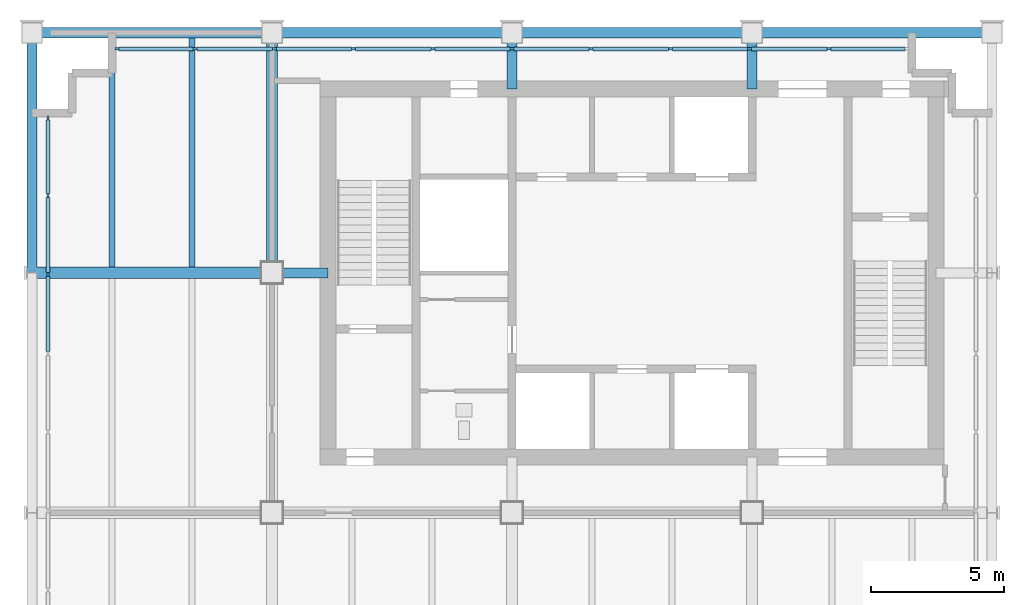
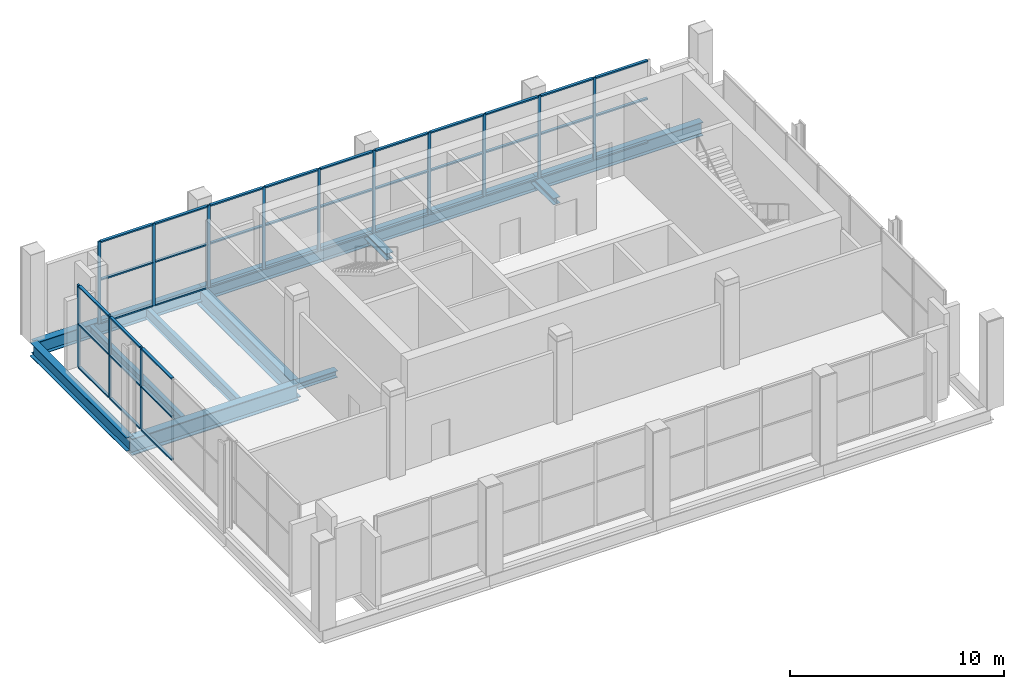
# One storey, part 4 of 10: 55 members, 9 beams, 2 elements without a shape of their own.
"""IFC4 building model written with IfcOpenShell, lengths in metres."""

from ifc_helpers import new_model, si_unit, direction, frame, origin, origin_2d, place, context, subcontext, project, spatial, rectangle, i_section, extrude, material, material_profile, profile_set, type_object, element, aggregate, save


model = new_model("IFC4")

# Units and contexts
model_context = context("Model", 3, precision=1e-05, world=origin(), true_north=direction((0.0, 1.0)))
body_context = subcontext(model_context, "Body", "Model", "MODEL_VIEW")
ifc_project = project(units=[si_unit("LENGTHUNIT", "METRE"), si_unit("AREAUNIT", "SQUARE_METRE"), si_unit("VOLUMEUNIT", "CUBIC_METRE"), si_unit("PLANEANGLEUNIT", "RADIAN"), si_unit("MASSUNIT", "GRAM", prefix="KILO")], contexts=[model_context])

# Site, building, storey
site_placement = place(None, origin())
site = spatial("IfcSite", under=ifc_project, at=site_placement, CompositionType="ELEMENT")
building_placement = place(site_placement, origin())
building = spatial("IfcBuilding", under=site, at=building_placement, Name="Loomwork Tower", CompositionType="ELEMENT")
storey_placement = place(building_placement, frame((0.0, 0.0, 274.800048828125)))
storey = spatial("IfcBuildingStorey", under=building, at=storey_placement, Name="L75", CompositionType="ELEMENT", Elevation=274.800048828125)

# Members
ifc_material_1 = material(Name="Steel ASTM A992", Category="steel")
ifc_material_profile_1 = material_profile(ifc_material_1, i_section(OverallWidth=0.373291015625, OverallDepth=0.373291015625, WebThickness=0.016357421875, FlangeThickness=0.026123046875, at=origin_2d()), Name="W14x132")
ifc_profile_set_1 = profile_set([ifc_material_profile_1], Name="Steel ASTM A992")
member_type_1 = type_object("IfcMemberType", Name="CORE LINK STRUT W14x132", PredefinedType="STRUT", material=ifc_profile_set_1)
for number, where, z_axis, x_axis, name in (
    (1, (18.0, 27.0, -0.436767578125), (0.0, -1.0, 0.0), (1.0, 0.0, 0.0), "Core link strut G/4-18.000,24.900 L75"),
    (2, (27.0, 27.0, -0.436767578125), (0.0, -1.0, 0.0), (1.0, 0.0, 0.0), "Core link strut G/5-27.000,24.900 L75"),
    (3, (9.0, 18.0, -0.436767578125), (1.0, 0.0, 0.0), (0.0, 1.0, 0.0), "Core link strut F/3-11.100,18.000 L75"),
):
    element("IfcMember", number, at=place(storey_placement, frame(where, z_axis=z_axis, x_axis=x_axis)), inside=storey, type_object=member_type_1, Name=name, PredefinedType="STRUT", context=body_context, shape_type="SweptSolid", body=[
        extrude(i_section(OverallWidth=0.373291015625, OverallDepth=0.373291015625, WebThickness=0.016357421875, FlangeThickness=0.026123046875, at=origin_2d()), origin(), (0.0, 0.0, 1.0), 2.10009765625),
    ])

# Beams
ifc_material_2 = material(Name="Steel ASTM A992", Category="steel")
ifc_material_profile_2 = material_profile(ifc_material_2, i_section(OverallWidth=0.424072265625, OverallDepth=0.947509765625, WebThickness=0.02392578125, FlangeThickness=0.042724609375, at=origin_2d()), Name="W36x302")
ifc_profile_set_2 = profile_set([ifc_material_profile_2], Name="Steel ASTM A992")
beam_type_1 = type_object("IfcBeamType", Name="PLANT FLOOR GIRDER W36x302", PredefinedType="BEAM", material=ifc_profile_set_2)
for number, where, z_axis, x_axis, name in (
    (4, (0.0, 18.0, -0.723876953125), (1.0, 0.0, 0.0), (0.0, 1.0, 0.0), "Plant Floor Girder F/2-F/3 L75"),
    (5, (9.0, 18.0, -0.723876953125), (0.0, 1.0, 0.0), (-1.0, 0.0, 0.0), "Plant Floor Girder F/3-G/3 L75"),
):
    element("IfcBeam", number, at=place(storey_placement, frame(where, z_axis=z_axis, x_axis=x_axis)), inside=storey, type_object=beam_type_1, Name=name, PredefinedType="BEAM", context=body_context, shape_type="SweptSolid", body=[
        extrude(i_section(OverallWidth=0.424072265625, OverallDepth=0.947509765625, WebThickness=0.02392578125, FlangeThickness=0.042724609375, at=origin_2d()), origin(), (0.0, 0.0, 1.0), 9.0),
    ])
ifc_material_3 = material(Name="Steel ASTM A992", Category="steel")
ifc_material_profile_3 = material_profile(ifc_material_3, i_section(OverallWidth=0.228271484375, OverallDepth=0.607177734375, WebThickness=0.01123046875, FlangeThickness=0.017333984375, at=origin_2d()), Name="W24x76")
ifc_profile_set_3 = profile_set([ifc_material_profile_3], Name="Steel ASTM A992")
beam_type_2 = type_object("IfcBeamType", Name="PLANT FLOOR JOIST W24x76", PredefinedType="JOIST", material=ifc_profile_set_3)
for number, where, z_axis, x_axis, name in (
    (6, (3.0, 18.2119140625, -0.553466796875), (0.0, 1.0, 0.0), (-1.0, 0.0, 0.0), "Plant Floor Joist 3.000,18.000-3.000,27.000 L75"),
    (7, (6.0, 18.2119140625, -0.553466796875), (0.0, 1.0, 0.0), (-1.0, 0.0, 0.0), "Plant Floor Joist 6.000,18.000-6.000,27.000 L75"),
):
    element("IfcBeam", number, at=place(storey_placement, frame(where, z_axis=z_axis, x_axis=x_axis)), inside=storey, type_object=beam_type_2, Name=name, PredefinedType="JOIST", context=body_context, shape_type="SweptSolid", body=[
        extrude(i_section(OverallWidth=0.228271484375, OverallDepth=0.607177734375, WebThickness=0.01123046875, FlangeThickness=0.017333984375, at=origin_2d()), origin(), (0.0, 0.0, 1.0), 8.59814453125),
    ])

# Curtain wall, members
ifc_material_4 = material(Name="Aluminium louvre frame", Category="aluminium")
curtain_wall_type = type_object("IfcCurtainWallType", Name="Plant floor louvre screen", PredefinedType="NOTDEFINED", material=ifc_material_4)
curtain_wall_1_placement = place(storey_placement, origin())
curtain_wall_1 = element("IfcCurtainWall", 8, at=curtain_wall_1_placement, inside=storey, type_object=curtain_wall_type, Name="Plant floor louvre screen cw/N", PredefinedType="NOTDEFINED")
ifc_material_5 = material(Name="Aluminium louvre frame", Category="aluminium")
ifc_material_profile_4 = material_profile(ifc_material_5, rectangle(XDim=0.080078125, YDim=0.14990234375, at=origin_2d()), Name="AL 80x150")
ifc_profile_set_4 = profile_set([ifc_material_profile_4], Name="Aluminium louvre frame")
member_type_2 = type_object("IfcMemberType", Name="Plant floor louvre screen mullion", PredefinedType="MULLION", material=ifc_profile_set_4)
member_1_placement = place(storey_placement, frame((29.8798828125, 26.39990234375, 0.0), z_axis=(0.0, 0.0, 1.0), x_axis=(0.0, -1.0, 0.0)))
member_1 = element("IfcMember", 9, at=member_1_placement, type_object=member_type_2, Name="CW4 mullion 2", PredefinedType="MULLION", context=body_context, shape_type="SweptSolid", body=[
    extrude(rectangle(XDim=0.080078125, YDim=0.14990234375, at=origin_2d()), origin(), (0.0, 0.0, 1.0), 4.699951171875),
])
member_2_placement = place(storey_placement, frame((26.909912109375, 26.39990234375, 0.0), z_axis=(0.0, 0.0, 1.0), x_axis=(0.0, -1.0, 0.0)))
member_2 = element("IfcMember", 10, at=member_2_placement, type_object=member_type_2, Name="CW4 mullion 3", PredefinedType="MULLION", context=body_context, shape_type="SweptSolid", body=[
    extrude(rectangle(XDim=0.080078125, YDim=0.14990234375, at=origin_2d()), origin(), (0.0, 0.0, 1.0), 4.699951171875),
])
member_3_placement = place(storey_placement, frame((23.93994140625, 26.39990234375, 0.0), z_axis=(0.0, 0.0, 1.0), x_axis=(0.0, -1.0, 0.0)))
member_3 = element("IfcMember", 11, at=member_3_placement, type_object=member_type_2, Name="CW4 mullion 4", PredefinedType="MULLION", context=body_context, shape_type="SweptSolid", body=[
    extrude(rectangle(XDim=0.080078125, YDim=0.14990234375, at=origin_2d()), origin(), (0.0, 0.0, 1.0), 4.699951171875),
])
member_4_placement = place(storey_placement, frame((20.969970703125, 26.39990234375, 0.0), z_axis=(0.0, 0.0, 1.0), x_axis=(0.0, -1.0, 0.0)))
member_4 = element("IfcMember", 12, at=member_4_placement, type_object=member_type_2, Name="CW4 mullion 5", PredefinedType="MULLION", context=body_context, shape_type="SweptSolid", body=[
    extrude(rectangle(XDim=0.080078125, YDim=0.14990234375, at=origin_2d()), origin(), (0.0, 0.0, 1.0), 4.699951171875),
])
member_5_placement = place(storey_placement, frame((18.0, 26.39990234375, 0.0), z_axis=(0.0, 0.0, 1.0), x_axis=(0.0, -1.0, 0.0)))
member_5 = element("IfcMember", 13, at=member_5_placement, type_object=member_type_2, Name="CW4 mullion 6", PredefinedType="MULLION", context=body_context, shape_type="SweptSolid", body=[
    extrude(rectangle(XDim=0.080078125, YDim=0.14990234375, at=origin_2d()), origin(), (0.0, 0.0, 1.0), 4.699951171875),
])
member_6_placement = place(storey_placement, frame((15.030029296875, 26.39990234375, 0.0), z_axis=(0.0, 0.0, 1.0), x_axis=(0.0, -1.0, 0.0)))
member_6 = element("IfcMember", 14, at=member_6_placement, type_object=member_type_2, Name="CW4 mullion 7", PredefinedType="MULLION", context=body_context, shape_type="SweptSolid", body=[
    extrude(rectangle(XDim=0.080078125, YDim=0.14990234375, at=origin_2d()), origin(), (0.0, 0.0, 1.0), 4.699951171875),
])
member_7_placement = place(storey_placement, frame((12.06005859375, 26.39990234375, 0.0), z_axis=(0.0, 0.0, 1.0), x_axis=(0.0, -1.0, 0.0)))
member_7 = element("IfcMember", 15, at=member_7_placement, type_object=member_type_2, Name="CW4 mullion 8", PredefinedType="MULLION", context=body_context, shape_type="SweptSolid", body=[
    extrude(rectangle(XDim=0.080078125, YDim=0.14990234375, at=origin_2d()), origin(), (0.0, 0.0, 1.0), 4.699951171875),
])
member_8_placement = place(storey_placement, frame((9.090087890625, 26.39990234375, 0.0), z_axis=(0.0, 0.0, 1.0), x_axis=(0.0, -1.0, 0.0)))
member_8 = element("IfcMember", 16, at=member_8_placement, type_object=member_type_2, Name="CW4 mullion 9", PredefinedType="MULLION", context=body_context, shape_type="SweptSolid", body=[
    extrude(rectangle(XDim=0.080078125, YDim=0.14990234375, at=origin_2d()), origin(), (0.0, 0.0, 1.0), 4.699951171875),
])
member_9_placement = place(storey_placement, frame((6.1201171875, 26.39990234375, 0.0), z_axis=(0.0, 0.0, 1.0), x_axis=(0.0, -1.0, 0.0)))
member_9 = element("IfcMember", 17, at=member_9_placement, type_object=member_type_2, Name="CW4 mullion 10", PredefinedType="MULLION", context=body_context, shape_type="SweptSolid", body=[
    extrude(rectangle(XDim=0.080078125, YDim=0.14990234375, at=origin_2d()), origin(), (0.0, 0.0, 1.0), 4.699951171875),
])
member_10_placement = place(storey_placement, frame((3.18994140625, 26.39990234375, 0.0), z_axis=(0.0, 0.0, 1.0), x_axis=(0.0, -1.0, 0.0)))
member_10 = element("IfcMember", 18, at=member_10_placement, type_object=member_type_2, Name="CW4 mullion 11", PredefinedType="MULLION", context=body_context, shape_type="SweptSolid", body=[
    extrude(rectangle(XDim=0.080078125, YDim=0.14990234375, at=origin_2d()), origin(), (0.0, 0.0, 1.0), 4.699951171875),
])

curtain_wall_2_placement = place(storey_placement, origin())
curtain_wall_2 = element("IfcCurtainWall", 19, at=curtain_wall_2_placement, inside=storey, type_object=curtain_wall_type, Name="Plant floor louvre screen cw/W", PredefinedType="NOTDEFINED")
member_11_placement = place(storey_placement, frame((0.60009765625, 23.81005859375, 0.0), z_axis=(0.0, 0.0, 1.0), x_axis=(1.0, 0.0, 0.0)))
member_11 = element("IfcMember", 20, at=member_11_placement, type_object=member_type_2, Name="CW4 mullion 1", PredefinedType="MULLION", context=body_context, shape_type="SweptSolid", body=[
    extrude(rectangle(XDim=0.080078125, YDim=0.14990234375, at=origin_2d()), origin(), (0.0, 0.0, 1.0), 4.699951171875),
])
member_12_placement = place(storey_placement, frame((0.60009765625, 20.892822265625, 0.0), z_axis=(0.0, 0.0, 1.0), x_axis=(1.0, 0.0, 0.0)))
member_12 = element("IfcMember", 21, at=member_12_placement, type_object=member_type_2, Name="CW4 mullion 2", PredefinedType="MULLION", context=body_context, shape_type="SweptSolid", body=[
    extrude(rectangle(XDim=0.080078125, YDim=0.14990234375, at=origin_2d()), origin(), (0.0, 0.0, 1.0), 4.699951171875),
])
member_13_placement = place(storey_placement, frame((0.60009765625, 17.935791015625, 0.0), z_axis=(0.0, 0.0, 1.0), x_axis=(1.0, 0.0, 0.0)))
member_13 = element("IfcMember", 22, at=member_13_placement, type_object=member_type_2, Name="CW4 mullion 3", PredefinedType="MULLION", context=body_context, shape_type="SweptSolid", body=[
    extrude(rectangle(XDim=0.080078125, YDim=0.14990234375, at=origin_2d()), origin(), (0.0, 0.0, 1.0), 4.699951171875),
])

# Member
ifc_material_6 = material(Name="Aluminium louvre frame", Category="aluminium")
ifc_material_profile_5 = material_profile(ifc_material_6, rectangle(XDim=0.14990234375, YDim=0.080078125, at=origin_2d()), Name="AL 80x150")
ifc_profile_set_5 = profile_set([ifc_material_profile_5], Name="Aluminium louvre frame")
member_type_3 = type_object("IfcMemberType", Name="Plant floor louvre screen transom", PredefinedType="USERDEFINED", material=ifc_profile_set_5)
member_14_placement = place(storey_placement, frame((32.735107421875, 26.39990234375, 0.0400390625), z_axis=(-1.0, 0.0, 0.0), x_axis=(0.0, -1.0, 0.0)))
member_14 = element("IfcMember", 23, at=member_14_placement, type_object=member_type_3, Name="CW4 transom 1.1", ObjectType="TRANSOM", PredefinedType="USERDEFINED", context=body_context, shape_type="SweptSolid", body=[
    extrude(rectangle(XDim=0.14990234375, YDim=0.080078125, at=origin_2d()), origin(), (0.0, 0.0, 1.0), 2.780029296875),
])

member_15_placement = place(storey_placement, frame((32.735107421875, 26.39990234375, 2.5), z_axis=(-1.0, 0.0, 0.0), x_axis=(0.0, -1.0, 0.0)))
member_15 = element("IfcMember", 24, at=member_15_placement, type_object=member_type_3, Name="CW4 transom 1.2", ObjectType="TRANSOM", PredefinedType="USERDEFINED", context=body_context, shape_type="SweptSolid", body=[
    extrude(rectangle(XDim=0.14990234375, YDim=0.080078125, at=origin_2d()), origin(), (0.0, 0.0, 1.0), 2.780029296875),
])

member_16_placement = place(storey_placement, frame((32.735107421875, 26.39990234375, 4.659912109375), z_axis=(-1.0, 0.0, 0.0), x_axis=(0.0, -1.0, 0.0)))
member_16 = element("IfcMember", 25, at=member_16_placement, type_object=member_type_3, Name="CW4 transom 1.3", ObjectType="TRANSOM", PredefinedType="USERDEFINED", context=body_context, shape_type="SweptSolid", body=[
    extrude(rectangle(XDim=0.14990234375, YDim=0.080078125, at=origin_2d()), origin(), (0.0, 0.0, 1.0), 2.780029296875),
])

member_17_placement = place(storey_placement, frame((29.804931640625, 26.39990234375, 0.0400390625), z_axis=(-1.0, 0.0, 0.0), x_axis=(0.0, -1.0, 0.0)))
member_17 = element("IfcMember", 26, at=member_17_placement, type_object=member_type_3, Name="CW4 transom 2.1", ObjectType="TRANSOM", PredefinedType="USERDEFINED", context=body_context, shape_type="SweptSolid", body=[
    extrude(rectangle(XDim=0.14990234375, YDim=0.080078125, at=origin_2d()), origin(), (0.0, 0.0, 1.0), 2.81982421875),
])

member_18_placement = place(storey_placement, frame((29.804931640625, 26.39990234375, 2.5), z_axis=(-1.0, 0.0, 0.0), x_axis=(0.0, -1.0, 0.0)))
member_18 = element("IfcMember", 27, at=member_18_placement, type_object=member_type_3, Name="CW4 transom 2.2", ObjectType="TRANSOM", PredefinedType="USERDEFINED", context=body_context, shape_type="SweptSolid", body=[
    extrude(rectangle(XDim=0.14990234375, YDim=0.080078125, at=origin_2d()), origin(), (0.0, 0.0, 1.0), 2.81982421875),
])

member_19_placement = place(storey_placement, frame((29.804931640625, 26.39990234375, 4.659912109375), z_axis=(-1.0, 0.0, 0.0), x_axis=(0.0, -1.0, 0.0)))
member_19 = element("IfcMember", 28, at=member_19_placement, type_object=member_type_3, Name="CW4 transom 2.3", ObjectType="TRANSOM", PredefinedType="USERDEFINED", context=body_context, shape_type="SweptSolid", body=[
    extrude(rectangle(XDim=0.14990234375, YDim=0.080078125, at=origin_2d()), origin(), (0.0, 0.0, 1.0), 2.81982421875),
])

member_20_placement = place(storey_placement, frame((26.8349609375, 26.39990234375, 0.0400390625), z_axis=(-1.0, 0.0, 0.0), x_axis=(0.0, -1.0, 0.0)))
member_20 = element("IfcMember", 29, at=member_20_placement, type_object=member_type_3, Name="CW4 transom 3.1", ObjectType="TRANSOM", PredefinedType="USERDEFINED", context=body_context, shape_type="SweptSolid", body=[
    extrude(rectangle(XDim=0.14990234375, YDim=0.080078125, at=origin_2d()), origin(), (0.0, 0.0, 1.0), 2.820068359375),
])

member_21_placement = place(storey_placement, frame((26.8349609375, 26.39990234375, 2.5), z_axis=(-1.0, 0.0, 0.0), x_axis=(0.0, -1.0, 0.0)))
member_21 = element("IfcMember", 30, at=member_21_placement, type_object=member_type_3, Name="CW4 transom 3.2", ObjectType="TRANSOM", PredefinedType="USERDEFINED", context=body_context, shape_type="SweptSolid", body=[
    extrude(rectangle(XDim=0.14990234375, YDim=0.080078125, at=origin_2d()), origin(), (0.0, 0.0, 1.0), 2.820068359375),
])

member_22_placement = place(storey_placement, frame((26.8349609375, 26.39990234375, 4.659912109375), z_axis=(-1.0, 0.0, 0.0), x_axis=(0.0, -1.0, 0.0)))
member_22 = element("IfcMember", 31, at=member_22_placement, type_object=member_type_3, Name="CW4 transom 3.3", ObjectType="TRANSOM", PredefinedType="USERDEFINED", context=body_context, shape_type="SweptSolid", body=[
    extrude(rectangle(XDim=0.14990234375, YDim=0.080078125, at=origin_2d()), origin(), (0.0, 0.0, 1.0), 2.820068359375),
])

member_23_placement = place(storey_placement, frame((23.864990234375, 26.39990234375, 0.0400390625), z_axis=(-1.0, 0.0, 0.0), x_axis=(0.0, -1.0, 0.0)))
member_23 = element("IfcMember", 32, at=member_23_placement, type_object=member_type_3, Name="CW4 transom 4.1", ObjectType="TRANSOM", PredefinedType="USERDEFINED", context=body_context, shape_type="SweptSolid", body=[
    extrude(rectangle(XDim=0.14990234375, YDim=0.080078125, at=origin_2d()), origin(), (0.0, 0.0, 1.0), 2.820068359375),
])

member_24_placement = place(storey_placement, frame((23.864990234375, 26.39990234375, 2.5), z_axis=(-1.0, 0.0, 0.0), x_axis=(0.0, -1.0, 0.0)))
member_24 = element("IfcMember", 33, at=member_24_placement, type_object=member_type_3, Name="CW4 transom 4.2", ObjectType="TRANSOM", PredefinedType="USERDEFINED", context=body_context, shape_type="SweptSolid", body=[
    extrude(rectangle(XDim=0.14990234375, YDim=0.080078125, at=origin_2d()), origin(), (0.0, 0.0, 1.0), 2.820068359375),
])

member_25_placement = place(storey_placement, frame((23.864990234375, 26.39990234375, 4.659912109375), z_axis=(-1.0, 0.0, 0.0), x_axis=(0.0, -1.0, 0.0)))
member_25 = element("IfcMember", 34, at=member_25_placement, type_object=member_type_3, Name="CW4 transom 4.3", ObjectType="TRANSOM", PredefinedType="USERDEFINED", context=body_context, shape_type="SweptSolid", body=[
    extrude(rectangle(XDim=0.14990234375, YDim=0.080078125, at=origin_2d()), origin(), (0.0, 0.0, 1.0), 2.820068359375),
])

member_26_placement = place(storey_placement, frame((20.89501953125, 26.39990234375, 0.0400390625), z_axis=(-1.0, 0.0, 0.0), x_axis=(0.0, -1.0, 0.0)))
member_26 = element("IfcMember", 35, at=member_26_placement, type_object=member_type_3, Name="CW4 transom 5.1", ObjectType="TRANSOM", PredefinedType="USERDEFINED", context=body_context, shape_type="SweptSolid", body=[
    extrude(rectangle(XDim=0.14990234375, YDim=0.080078125, at=origin_2d()), origin(), (0.0, 0.0, 1.0), 2.820068359375),
])

member_27_placement = place(storey_placement, frame((20.89501953125, 26.39990234375, 2.5), z_axis=(-1.0, 0.0, 0.0), x_axis=(0.0, -1.0, 0.0)))
member_27 = element("IfcMember", 36, at=member_27_placement, type_object=member_type_3, Name="CW4 transom 5.2", ObjectType="TRANSOM", PredefinedType="USERDEFINED", context=body_context, shape_type="SweptSolid", body=[
    extrude(rectangle(XDim=0.14990234375, YDim=0.080078125, at=origin_2d()), origin(), (0.0, 0.0, 1.0), 2.820068359375),
])

member_28_placement = place(storey_placement, frame((20.89501953125, 26.39990234375, 4.659912109375), z_axis=(-1.0, 0.0, 0.0), x_axis=(0.0, -1.0, 0.0)))
member_28 = element("IfcMember", 37, at=member_28_placement, type_object=member_type_3, Name="CW4 transom 5.3", ObjectType="TRANSOM", PredefinedType="USERDEFINED", context=body_context, shape_type="SweptSolid", body=[
    extrude(rectangle(XDim=0.14990234375, YDim=0.080078125, at=origin_2d()), origin(), (0.0, 0.0, 1.0), 2.820068359375),
])

member_29_placement = place(storey_placement, frame((17.925048828125, 26.39990234375, 0.0400390625), z_axis=(-1.0, 0.0, 0.0), x_axis=(0.0, -1.0, 0.0)))
member_29 = element("IfcMember", 38, at=member_29_placement, type_object=member_type_3, Name="CW4 transom 6.1", ObjectType="TRANSOM", PredefinedType="USERDEFINED", context=body_context, shape_type="SweptSolid", body=[
    extrude(rectangle(XDim=0.14990234375, YDim=0.080078125, at=origin_2d()), origin(), (0.0, 0.0, 1.0), 2.820068359375),
])

member_30_placement = place(storey_placement, frame((17.925048828125, 26.39990234375, 2.5), z_axis=(-1.0, 0.0, 0.0), x_axis=(0.0, -1.0, 0.0)))
member_30 = element("IfcMember", 39, at=member_30_placement, type_object=member_type_3, Name="CW4 transom 6.2", ObjectType="TRANSOM", PredefinedType="USERDEFINED", context=body_context, shape_type="SweptSolid", body=[
    extrude(rectangle(XDim=0.14990234375, YDim=0.080078125, at=origin_2d()), origin(), (0.0, 0.0, 1.0), 2.820068359375),
])

member_31_placement = place(storey_placement, frame((17.925048828125, 26.39990234375, 4.659912109375), z_axis=(-1.0, 0.0, 0.0), x_axis=(0.0, -1.0, 0.0)))
member_31 = element("IfcMember", 40, at=member_31_placement, type_object=member_type_3, Name="CW4 transom 6.3", ObjectType="TRANSOM", PredefinedType="USERDEFINED", context=body_context, shape_type="SweptSolid", body=[
    extrude(rectangle(XDim=0.14990234375, YDim=0.080078125, at=origin_2d()), origin(), (0.0, 0.0, 1.0), 2.820068359375),
])

member_32_placement = place(storey_placement, frame((14.955078125, 26.39990234375, 0.0400390625), z_axis=(-1.0, 0.0, 0.0), x_axis=(0.0, -1.0, 0.0)))
member_32 = element("IfcMember", 41, at=member_32_placement, type_object=member_type_3, Name="CW4 transom 7.1", ObjectType="TRANSOM", PredefinedType="USERDEFINED", context=body_context, shape_type="SweptSolid", body=[
    extrude(rectangle(XDim=0.14990234375, YDim=0.080078125, at=origin_2d()), origin(), (0.0, 0.0, 1.0), 2.820068359375),
])

member_33_placement = place(storey_placement, frame((14.955078125, 26.39990234375, 2.5), z_axis=(-1.0, 0.0, 0.0), x_axis=(0.0, -1.0, 0.0)))
member_33 = element("IfcMember", 42, at=member_33_placement, type_object=member_type_3, Name="CW4 transom 7.2", ObjectType="TRANSOM", PredefinedType="USERDEFINED", context=body_context, shape_type="SweptSolid", body=[
    extrude(rectangle(XDim=0.14990234375, YDim=0.080078125, at=origin_2d()), origin(), (0.0, 0.0, 1.0), 2.820068359375),
])

member_34_placement = place(storey_placement, frame((14.955078125, 26.39990234375, 4.659912109375), z_axis=(-1.0, 0.0, 0.0), x_axis=(0.0, -1.0, 0.0)))
member_34 = element("IfcMember", 43, at=member_34_placement, type_object=member_type_3, Name="CW4 transom 7.3", ObjectType="TRANSOM", PredefinedType="USERDEFINED", context=body_context, shape_type="SweptSolid", body=[
    extrude(rectangle(XDim=0.14990234375, YDim=0.080078125, at=origin_2d()), origin(), (0.0, 0.0, 1.0), 2.820068359375),
])

member_35_placement = place(storey_placement, frame((11.985107421875, 26.39990234375, 0.0400390625), z_axis=(-1.0, 0.0, 0.0), x_axis=(0.0, -1.0, 0.0)))
member_35 = element("IfcMember", 44, at=member_35_placement, type_object=member_type_3, Name="CW4 transom 8.1", ObjectType="TRANSOM", PredefinedType="USERDEFINED", context=body_context, shape_type="SweptSolid", body=[
    extrude(rectangle(XDim=0.14990234375, YDim=0.080078125, at=origin_2d()), origin(), (0.0, 0.0, 1.0), 2.820068359375),
])

member_36_placement = place(storey_placement, frame((11.985107421875, 26.39990234375, 2.5), z_axis=(-1.0, 0.0, 0.0), x_axis=(0.0, -1.0, 0.0)))
member_36 = element("IfcMember", 45, at=member_36_placement, type_object=member_type_3, Name="CW4 transom 8.2", ObjectType="TRANSOM", PredefinedType="USERDEFINED", context=body_context, shape_type="SweptSolid", body=[
    extrude(rectangle(XDim=0.14990234375, YDim=0.080078125, at=origin_2d()), origin(), (0.0, 0.0, 1.0), 2.820068359375),
])

member_37_placement = place(storey_placement, frame((11.985107421875, 26.39990234375, 4.659912109375), z_axis=(-1.0, 0.0, 0.0), x_axis=(0.0, -1.0, 0.0)))
member_37 = element("IfcMember", 46, at=member_37_placement, type_object=member_type_3, Name="CW4 transom 8.3", ObjectType="TRANSOM", PredefinedType="USERDEFINED", context=body_context, shape_type="SweptSolid", body=[
    extrude(rectangle(XDim=0.14990234375, YDim=0.080078125, at=origin_2d()), origin(), (0.0, 0.0, 1.0), 2.820068359375),
])

member_38_placement = place(storey_placement, frame((9.014892578125, 26.39990234375, 0.0400390625), z_axis=(-1.0, 0.0, 0.0), x_axis=(0.0, -1.0, 0.0)))
member_38 = element("IfcMember", 47, at=member_38_placement, type_object=member_type_3, Name="CW4 transom 9.1", ObjectType="TRANSOM", PredefinedType="USERDEFINED", context=body_context, shape_type="SweptSolid", body=[
    extrude(rectangle(XDim=0.14990234375, YDim=0.080078125, at=origin_2d()), origin(), (0.0, 0.0, 1.0), 2.81982421875),
])

member_39_placement = place(storey_placement, frame((9.014892578125, 26.39990234375, 2.5), z_axis=(-1.0, 0.0, 0.0), x_axis=(0.0, -1.0, 0.0)))
member_39 = element("IfcMember", 48, at=member_39_placement, type_object=member_type_3, Name="CW4 transom 9.2", ObjectType="TRANSOM", PredefinedType="USERDEFINED", context=body_context, shape_type="SweptSolid", body=[
    extrude(rectangle(XDim=0.14990234375, YDim=0.080078125, at=origin_2d()), origin(), (0.0, 0.0, 1.0), 2.81982421875),
])

member_40_placement = place(storey_placement, frame((9.014892578125, 26.39990234375, 4.659912109375), z_axis=(-1.0, 0.0, 0.0), x_axis=(0.0, -1.0, 0.0)))
member_40 = element("IfcMember", 49, at=member_40_placement, type_object=member_type_3, Name="CW4 transom 9.3", ObjectType="TRANSOM", PredefinedType="USERDEFINED", context=body_context, shape_type="SweptSolid", body=[
    extrude(rectangle(XDim=0.14990234375, YDim=0.080078125, at=origin_2d()), origin(), (0.0, 0.0, 1.0), 2.81982421875),
])

member_41_placement = place(storey_placement, frame((6.044921875, 26.39990234375, 0.0400390625), z_axis=(-1.0, 0.0, 0.0), x_axis=(0.0, -1.0, 0.0)))
member_41 = element("IfcMember", 50, at=member_41_placement, type_object=member_type_3, Name="CW4 transom 10.1", ObjectType="TRANSOM", PredefinedType="USERDEFINED", context=body_context, shape_type="SweptSolid", body=[
    extrude(rectangle(XDim=0.14990234375, YDim=0.080078125, at=origin_2d()), origin(), (0.0, 0.0, 1.0), 2.780029296875),
])

member_42_placement = place(storey_placement, frame((6.044921875, 26.39990234375, 2.5), z_axis=(-1.0, 0.0, 0.0), x_axis=(0.0, -1.0, 0.0)))
member_42 = element("IfcMember", 51, at=member_42_placement, type_object=member_type_3, Name="CW4 transom 10.2", ObjectType="TRANSOM", PredefinedType="USERDEFINED", context=body_context, shape_type="SweptSolid", body=[
    extrude(rectangle(XDim=0.14990234375, YDim=0.080078125, at=origin_2d()), origin(), (0.0, 0.0, 1.0), 2.780029296875),
])

member_43_placement = place(storey_placement, frame((6.044921875, 26.39990234375, 4.659912109375), z_axis=(-1.0, 0.0, 0.0), x_axis=(0.0, -1.0, 0.0)))
member_43 = element("IfcMember", 52, at=member_43_placement, type_object=member_type_3, Name="CW4 transom 10.3", ObjectType="TRANSOM", PredefinedType="USERDEFINED", context=body_context, shape_type="SweptSolid", body=[
    extrude(rectangle(XDim=0.14990234375, YDim=0.080078125, at=origin_2d()), origin(), (0.0, 0.0, 1.0), 2.780029296875),
])

aggregate(curtain_wall_1, [member_1, member_2, member_3, member_4, member_5, member_6, member_7, member_8, member_9, member_10, member_14, member_15, member_16, member_17, member_18, member_19, member_20, member_21, member_22, member_23, member_24, member_25, member_26, member_27, member_28, member_29, member_30, member_31, member_32, member_33, member_34, member_35, member_36, member_37, member_38, member_39, member_40, member_41, member_42, member_43])

member_44_placement = place(storey_placement, frame((0.60009765625, 23.735107421875, 0.0400390625), z_axis=(0.0, -1.0, 0.0), x_axis=(1.0, 0.0, 0.0)))
member_44 = element("IfcMember", 53, at=member_44_placement, type_object=member_type_3, Name="CW4 transom 1.1", ObjectType="TRANSOM", PredefinedType="USERDEFINED", context=body_context, shape_type="SweptSolid", body=[
    extrude(rectangle(XDim=0.14990234375, YDim=0.080078125, at=origin_2d()), origin(), (0.0, 0.0, 1.0), 2.767333984375),
])

member_45_placement = place(storey_placement, frame((0.60009765625, 23.735107421875, 2.5), z_axis=(0.0, -1.0, 0.0), x_axis=(1.0, 0.0, 0.0)))
member_45 = element("IfcMember", 54, at=member_45_placement, type_object=member_type_3, Name="CW4 transom 1.2", ObjectType="TRANSOM", PredefinedType="USERDEFINED", context=body_context, shape_type="SweptSolid", body=[
    extrude(rectangle(XDim=0.14990234375, YDim=0.080078125, at=origin_2d()), origin(), (0.0, 0.0, 1.0), 2.767333984375),
])

member_46_placement = place(storey_placement, frame((0.60009765625, 23.735107421875, 4.659912109375), z_axis=(0.0, -1.0, 0.0), x_axis=(1.0, 0.0, 0.0)))
member_46 = element("IfcMember", 55, at=member_46_placement, type_object=member_type_3, Name="CW4 transom 1.3", ObjectType="TRANSOM", PredefinedType="USERDEFINED", context=body_context, shape_type="SweptSolid", body=[
    extrude(rectangle(XDim=0.14990234375, YDim=0.080078125, at=origin_2d()), origin(), (0.0, 0.0, 1.0), 2.767333984375),
])

member_47_placement = place(storey_placement, frame((0.60009765625, 20.81787109375, 0.0400390625), z_axis=(0.0, -1.0, 0.0), x_axis=(1.0, 0.0, 0.0)))
member_47 = element("IfcMember", 56, at=member_47_placement, type_object=member_type_3, Name="CW4 transom 2.1", ObjectType="TRANSOM", PredefinedType="USERDEFINED", context=body_context, shape_type="SweptSolid", body=[
    extrude(rectangle(XDim=0.14990234375, YDim=0.080078125, at=origin_2d()), origin(), (0.0, 0.0, 1.0), 2.80712890625),
])

member_48_placement = place(storey_placement, frame((0.60009765625, 20.81787109375, 2.5), z_axis=(0.0, -1.0, 0.0), x_axis=(1.0, 0.0, 0.0)))
member_48 = element("IfcMember", 57, at=member_48_placement, type_object=member_type_3, Name="CW4 transom 2.2", ObjectType="TRANSOM", PredefinedType="USERDEFINED", context=body_context, shape_type="SweptSolid", body=[
    extrude(rectangle(XDim=0.14990234375, YDim=0.080078125, at=origin_2d()), origin(), (0.0, 0.0, 1.0), 2.80712890625),
])

member_49_placement = place(storey_placement, frame((0.60009765625, 20.81787109375, 4.659912109375), z_axis=(0.0, -1.0, 0.0), x_axis=(1.0, 0.0, 0.0)))
member_49 = element("IfcMember", 58, at=member_49_placement, type_object=member_type_3, Name="CW4 transom 2.3", ObjectType="TRANSOM", PredefinedType="USERDEFINED", context=body_context, shape_type="SweptSolid", body=[
    extrude(rectangle(XDim=0.14990234375, YDim=0.080078125, at=origin_2d()), origin(), (0.0, 0.0, 1.0), 2.80712890625),
])

member_50_placement = place(storey_placement, frame((0.60009765625, 17.860595703125, 0.0400390625), z_axis=(0.0, -1.0, 0.0), x_axis=(1.0, 0.0, 0.0)))
member_50 = element("IfcMember", 59, at=member_50_placement, type_object=member_type_3, Name="CW4 transom 3.1", ObjectType="TRANSOM", PredefinedType="USERDEFINED", context=body_context, shape_type="SweptSolid", body=[
    extrude(rectangle(XDim=0.14990234375, YDim=0.080078125, at=origin_2d()), origin(), (0.0, 0.0, 1.0), 2.80712890625),
])

member_51_placement = place(storey_placement, frame((0.60009765625, 17.860595703125, 2.5), z_axis=(0.0, -1.0, 0.0), x_axis=(1.0, 0.0, 0.0)))
member_51 = element("IfcMember", 60, at=member_51_placement, type_object=member_type_3, Name="CW4 transom 3.2", ObjectType="TRANSOM", PredefinedType="USERDEFINED", context=body_context, shape_type="SweptSolid", body=[
    extrude(rectangle(XDim=0.14990234375, YDim=0.080078125, at=origin_2d()), origin(), (0.0, 0.0, 1.0), 2.80712890625),
])

member_52_placement = place(storey_placement, frame((0.60009765625, 17.860595703125, 4.659912109375), z_axis=(0.0, -1.0, 0.0), x_axis=(1.0, 0.0, 0.0)))
member_52 = element("IfcMember", 61, at=member_52_placement, type_object=member_type_3, Name="CW4 transom 3.3", ObjectType="TRANSOM", PredefinedType="USERDEFINED", context=body_context, shape_type="SweptSolid", body=[
    extrude(rectangle(XDim=0.14990234375, YDim=0.080078125, at=origin_2d()), origin(), (0.0, 0.0, 1.0), 2.80712890625),
])

aggregate(curtain_wall_2, [member_11, member_12, member_13, member_44, member_45, member_46, member_47, member_48, member_49, member_50, member_51, member_52])

# Beams
ifc_material_7 = material(Name="Steel ASTM A992", Category="steel")
ifc_material_profile_6 = material_profile(ifc_material_7, i_section(OverallWidth=0.381103515625, OverallDepth=0.77978515625, WebThickness=0.01806640625, FlangeThickness=0.0302734375, at=origin_2d()), Name="W30x191")
ifc_profile_set_6 = profile_set([ifc_material_profile_6], Name="Steel ASTM A992")
beam_type_3 = type_object("IfcBeamType", Name="SPANDREL GIRDER W30x191", PredefinedType="SPANDREL", material=ifc_profile_set_6)
for number, where, z_axis, x_axis, name in (
    (62, (0.0, 27.0, -0.639892578125), (1.0, 0.0, 0.0), (0.0, 1.0, 0.0), "Spandrel Girder G/2-G/3 L75"),
    (63, (9.0, 27.0, -0.639892578125), (1.0, 0.0, 0.0), (0.0, 1.0, 0.0), "Spandrel Girder G/3-G/4 L75"),
    (64, (18.0, 27.0, -0.639892578125), (1.0, 0.0, 0.0), (0.0, 1.0, 0.0), "Spandrel Girder G/4-G/5 L75"),
    (65, (27.0, 27.0, -0.639892578125), (1.0, 0.0, 0.0), (0.0, 1.0, 0.0), "Spandrel Girder G/5-G/6 L75"),
    (66, (0.0, 18.0, -0.639892578125), (0.0, 1.0, 0.0), (-1.0, 0.0, 0.0), "Spandrel Girder F/2-G/2 L75"),
):
    element("IfcBeam", number, at=place(storey_placement, frame(where, z_axis=z_axis, x_axis=x_axis)), inside=storey, type_object=beam_type_3, Name=name, PredefinedType="SPANDREL", context=body_context, shape_type="SweptSolid", body=[
        extrude(i_section(OverallWidth=0.381103515625, OverallDepth=0.77978515625, WebThickness=0.01806640625, FlangeThickness=0.0302734375, at=origin_2d()), origin(), (0.0, 0.0, 1.0), 9.0),
    ])

save(model, "model.ifc")
